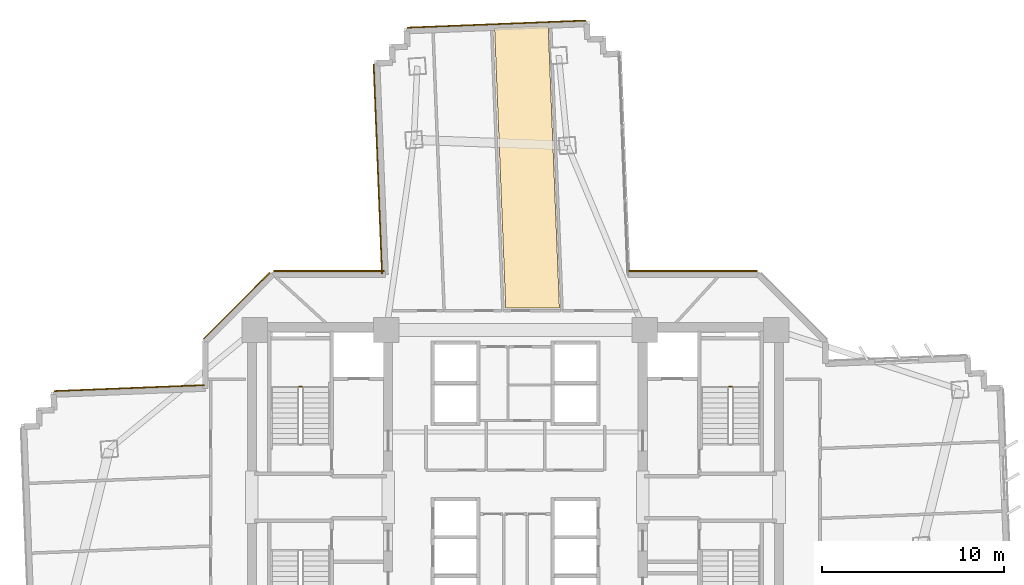
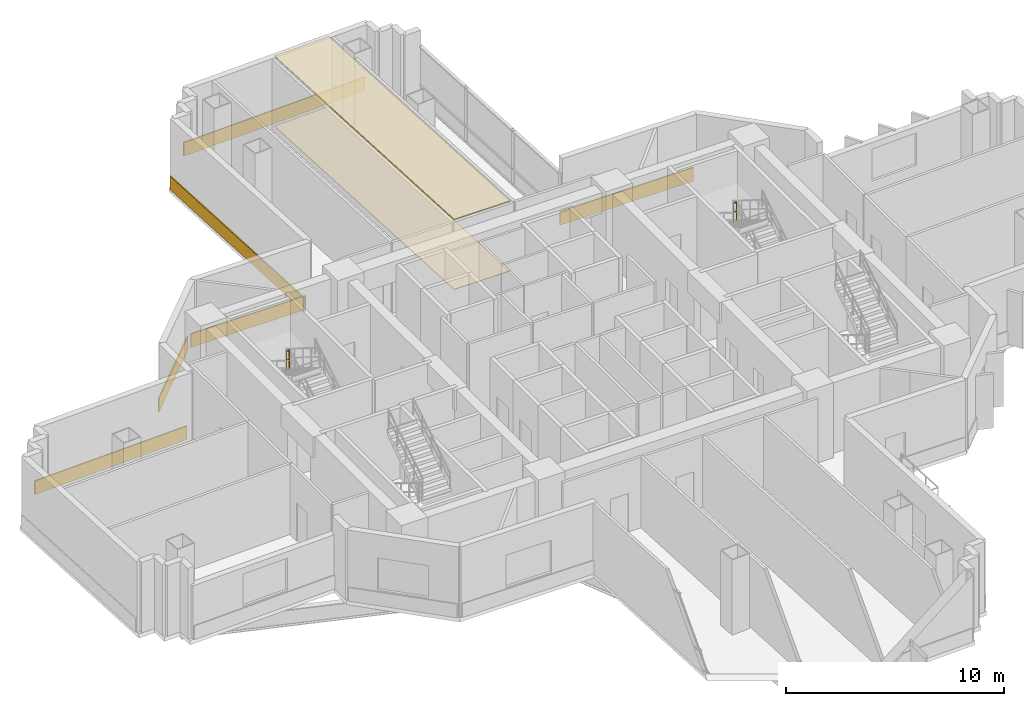
# One storey, part 15 of 16: 8 coverings, 2 railings.
"""IFC4 building model written with IfcOpenShell, lengths in metres."""

from ifc_helpers import new_model, si_unit, direction, frame, origin, origin_2d, place, context, subcontext, project, spatial, polyline, rectangle, outline, extrude, source, transform, mapped, material, layer, layer_set, type_object, element, save


model = new_model("IFC4")

# Units and contexts
model_context = context("Model", 3, precision=1e-05, world=origin(), true_north=direction((0.0, 1.0)))
body_context = subcontext(model_context, "Body", "Model", "MODEL_VIEW")
ifc_project = project(units=[si_unit("LENGTHUNIT", "METRE"), si_unit("AREAUNIT", "SQUARE_METRE"), si_unit("VOLUMEUNIT", "CUBIC_METRE"), si_unit("PLANEANGLEUNIT", "RADIAN"), si_unit("MASSUNIT", "GRAM", prefix="KILO")], contexts=[model_context])

# Site, building, storey
site_placement = place(None, origin())
site = spatial("IfcSite", under=ifc_project, at=site_placement, CompositionType="ELEMENT")
building_placement = place(site_placement, origin())
building = spatial("IfcBuilding", under=site, at=building_placement, Name="Zahravan Cultural Tower", CompositionType="ELEMENT")
storey_placement = place(building_placement, frame((0.0, 0.0, 58.5)))
storey = spatial("IfcBuildingStorey", under=building, at=storey_placement, Name="L12", CompositionType="ELEMENT", Elevation=58.5)

# Coverings
ifc_material_1 = material(Name="Acoustic mineral fibreboard")
ifc_layer_1 = layer(ifc_material_1, 0.0400390625)
ifc_layer_set_1 = layer_set([ifc_layer_1], Name="Acoustic mineral fibreboard")
covering_type_1 = type_object("IfcCoveringType", Name="COV-CEIL-AC20", PredefinedType="CEILING", material=ifc_layer_set_1)
covering_1_placement = place(storey_placement, frame((0.0, 0.0, 3.909912109375)))
element("IfcCovering", 1, at=covering_1_placement, inside=storey, type_object=covering_type_1, Name="L12 Acoustic Suspended Ceiling", PredefinedType="CEILING", context=body_context, shape_type="SweptSolid", body=[
    extrude(outline(polyline([(34.85205078125, 52.814697265625), (35.4658203125, 37.39990234375), (38.418212890625, 37.39990234375), (37.7998046875, 52.93212890625), (34.85205078125, 52.814697265625)])), origin(), (0.0, 0.0, 1.0), 0.0400390625),
])
ifc_material_2 = material(Name="Terrazzo flooring")
ifc_layer_2 = layer(ifc_material_2, 0.02490234375)
ifc_layer_set_2 = layer_set([ifc_layer_2], Name="Terrazzo flooring")
covering_type_2 = type_object("IfcCoveringType", Name="COV-FLR-TZ25", PredefinedType="FLOORING", material=ifc_layer_set_2)
covering_2_placement = place(storey_placement, origin())
element("IfcCovering", 2, at=covering_2_placement, inside=storey, type_object=covering_type_2, Name="L12 Polished Terrazzo Flooring", PredefinedType="FLOORING", context=body_context, shape_type="SweptSolid", body=[
    extrude(outline(polyline([(34.85205078125, 52.814697265625), (35.4658203125, 37.39990234375), (38.418212890625, 37.39990234375), (37.7998046875, 52.93212890625), (34.85205078125, 52.814697265625)])), origin(), (0.0, 0.0, 1.0), 0.02490234375),
])

# Railings
ifc_material_3 = material(Name="Steel ASTM A572 Grade 50", Category="steel")
railing_type = type_object("IfcRailingType", Name="RL-STAIR-GRD1150", PredefinedType="BALUSTRADE", material=ifc_material_3)
for number, where, name in (
    (3, (24.25, 33.080078125, 2.10009765625), "L12 ST-W1 stair guard 2"),
    (4, (47.89990234375, 33.080078125, 2.10009765625), "L12 ST-E1 stair guard 2"),
):
    element("IfcRailing", number, at=place(storey_placement, frame(where)), inside=storey, type_object=railing_type, Name=name, PredefinedType="BALUSTRADE", context=body_context, shape_type="SweptSolid", body=[
        extrude(rectangle(XDim=0.05, YDim=0.05, at=origin_2d()), frame((0.0, 0.0, 1.0751953125), z_axis=(-1.0, 0.0, 0.0), x_axis=(0.0, -1.0, 0.0)), (0.0, 0.0, 1.0), 0.14990234375),
        extrude(rectangle(XDim=0.032, YDim=0.032, at=origin_2d()), frame((0.0, 0.0, 0.572021484375), z_axis=(-1.0, 0.0, 0.0), x_axis=(0.0, -1.0, 0.0)), (0.0, 0.0, 1.0), 0.14990234375),
        extrude(rectangle(XDim=0.04, YDim=0.04, at=origin_2d()), origin(), (0.0, 0.0, 1.0), 1.10009765625),
        extrude(rectangle(XDim=0.04, YDim=0.04, at=origin_2d()), frame((-0.14990234375, 0.0, 0.0)), (0.0, 0.0, 1.0), 1.10009765625),
    ])

# Coverings
ifc_material_4 = material(Name="Terracotta ceramic cladding", Category="masonry")
ifc_layer_3 = layer(ifc_material_4, 0.06005859375)
ifc_layer_set_3 = layer_set([ifc_layer_3], Name="Terracotta ceramic cladding")
covering_type_3 = type_object("IfcCoveringType", Name="COV-CLAD-TC60", PredefinedType="CLADDING", material=ifc_layer_set_3)
shared_shape_1 = source(origin(), body_context, "Body", "SweptSolid", [
    extrude(rectangle(XDim=9.820068359375, YDim=0.06005859375, at=origin_2d()), origin(), (0.0, 0.0, 1.0), 0.760009765625),
])
covering_3_placement = place(storey_placement, frame((34.9638671875, 53.0244140625, 0.02001953125), z_axis=(0.0, 0.0, 1.0), x_axis=(0.999208342878, 0.039783005453, 0.0)))
element("IfcCovering", 5, at=covering_3_placement, inside=storey, type_object=covering_type_3, Name="L12 Terracotta Spandrel Cladding 47", PredefinedType="CLADDING", context=body_context, shape_type="MappedRepresentation", body=[
    mapped(shared_shape_1, transform((0.0, 0.0, 0.0), x_axis=(1.0, 0.0, 0.0), y_axis=(0.0, 1.0, 0.0), z_axis=(0.0, 0.0, 1.0), scale=1.0)),
])
shared_shape_2 = source(origin(), body_context, "Body", "SweptSolid", [
    extrude(rectangle(XDim=5.157958984375, YDim=0.06005859375, at=origin_2d()), origin(), (0.0, 0.0, 1.0), 0.760009765625),
])
covering_4_placement = place(storey_placement, frame((20.668212890625, 37.53173828125, 0.02001953125), z_axis=(0.0, 0.0, 1.0), x_axis=(0.707106781187, 0.707106781187, 0.0)))
element("IfcCovering", 6, at=covering_4_placement, inside=storey, type_object=covering_type_3, Name="L12 Terracotta Spandrel Cladding 40", PredefinedType="CLADDING", context=body_context, shape_type="MappedRepresentation", body=[
    mapped(shared_shape_2, transform((0.0, 0.0, 0.0), x_axis=(1.0, 0.0, 0.0), y_axis=(0.0, 1.0, 0.0), z_axis=(0.0, 0.0, 1.0), scale=1.0)),
])
shared_shape_3 = source(origin(), body_context, "Body", "SweptSolid", [
    extrude(rectangle(XDim=8.251708984375, YDim=0.06005859375, at=origin_2d()), origin(), (0.0, 0.0, 1.0), 0.760009765625),
])
covering_5_placement = place(storey_placement, frame((14.760009765625, 33.0048828125, 0.02001953125), z_axis=(0.0, 0.0, 1.0), x_axis=(0.999208342878, 0.039783005453, 0.0)))
element("IfcCovering", 7, at=covering_5_placement, inside=storey, type_object=covering_type_3, Name="L12 Terracotta Spandrel Cladding 38", PredefinedType="CLADDING", context=body_context, shape_type="MappedRepresentation", body=[
    mapped(shared_shape_3, transform((0.0, 0.0, 0.0), x_axis=(1.0, 0.0, 0.0), y_axis=(0.0, 1.0, 0.0), z_axis=(0.0, 0.0, 1.0), scale=1.0)),
])
shared_shape_4 = source(origin(), body_context, "Body", "SweptSolid", [
    extrude(rectangle(XDim=6.088623046875, YDim=0.06005859375, at=origin_2d()), origin(), (0.0, 0.0, 1.0), 0.760009765625),
])
covering_6_placement = place(storey_placement, frame((25.752197265625, 39.445068359375, 0.02001953125), z_axis=(0.0, 0.0, 1.0), x_axis=(1.0, 0.0, 0.0)))
element("IfcCovering", 8, at=covering_6_placement, inside=storey, type_object=covering_type_3, Name="L12 Terracotta Spandrel Cladding 41", PredefinedType="CLADDING", context=body_context, shape_type="MappedRepresentation", body=[
    mapped(shared_shape_4, transform((0.0, 0.0, 0.0), x_axis=(1.0, 0.0, 0.0), y_axis=(0.0, 1.0, 0.0), z_axis=(0.0, 0.0, 1.0), scale=1.0)),
])
shared_shape_5 = source(origin(), body_context, "Body", "SweptSolid", [
    extrude(rectangle(XDim=11.525146484375, YDim=0.06005859375, at=origin_2d()), origin(), (0.0, 0.0, 1.0), 0.760009765625),
])
covering_7_placement = place(storey_placement, frame((28.4306640625, 45.060546875, 0.02001953125), z_axis=(0.0, 0.0, 1.0), x_axis=(-0.039783005453, 0.999208342878, 0.0)))
element("IfcCovering", 9, at=covering_7_placement, inside=storey, type_object=covering_type_3, Name="L12 Terracotta Spandrel Cladding 42", PredefinedType="CLADDING", context=body_context, shape_type="MappedRepresentation", body=[
    mapped(shared_shape_5, transform((0.0, 0.0, 0.0), x_axis=(1.0, 0.0, 0.0), y_axis=(0.0, 1.0, 0.0), z_axis=(0.0, 0.0, 1.0), scale=1.0)),
])
shared_shape_6 = source(origin(), body_context, "Body", "SweptSolid", [
    extrude(rectangle(XDim=7.064697265625, YDim=0.06005859375, at=origin_2d()), origin(), (0.0, 0.0, 1.0), 0.760009765625),
])
covering_8_placement = place(storey_placement, frame((45.759521484375, 39.445068359375, 0.02001953125), z_axis=(0.0, 0.0, 1.0), x_axis=(1.0, 0.0, 0.0)))
element("IfcCovering", 10, at=covering_8_placement, inside=storey, type_object=covering_type_3, Name="L12 Terracotta Spandrel Cladding 52", PredefinedType="CLADDING", context=body_context, shape_type="MappedRepresentation", body=[
    mapped(shared_shape_6, transform((0.0, 0.0, 0.0), x_axis=(1.0, 0.0, 0.0), y_axis=(0.0, 1.0, 0.0), z_axis=(0.0, 0.0, 1.0), scale=1.0)),
])

save(model, "model.ifc")
